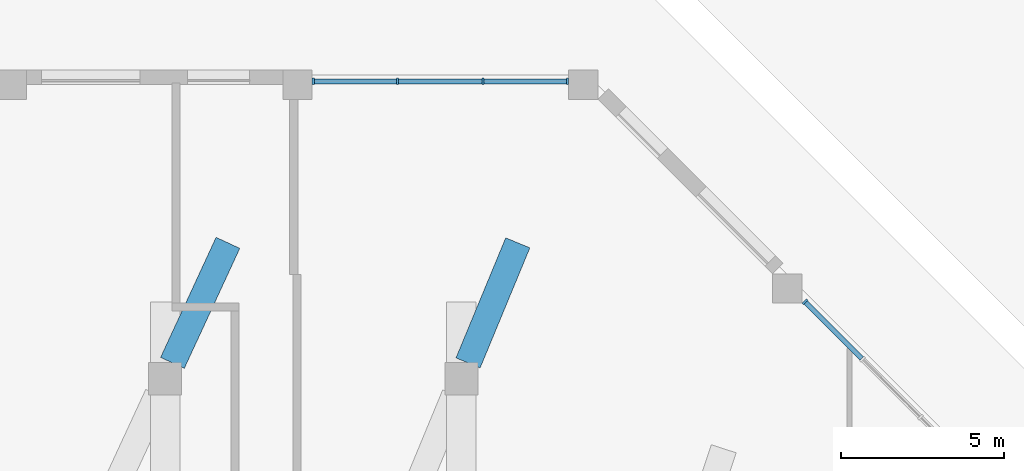
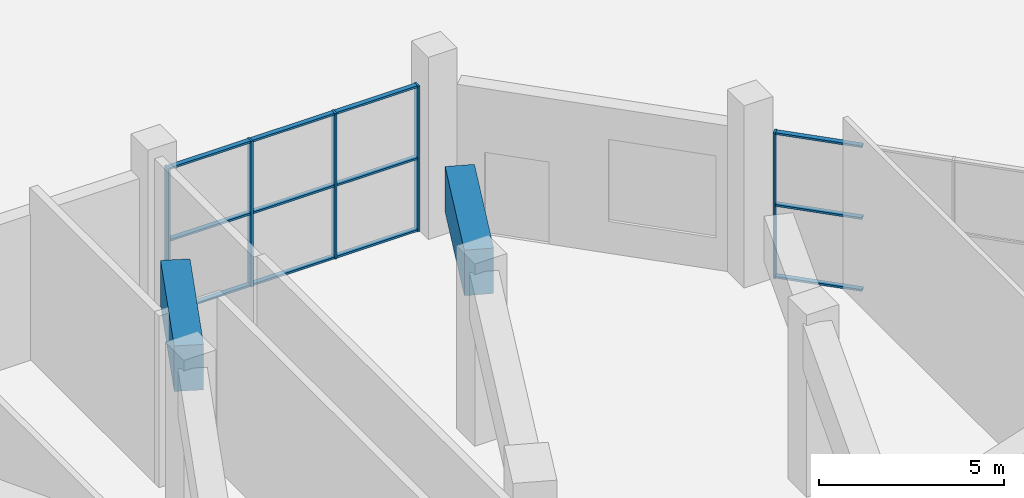
# One storey, part 15 of 36: 17 members, 2 beams, 2 elements without a shape of their own.
"""IFC4 building model written with IfcOpenShell, lengths in metres."""

from ifc_helpers import new_model, si_unit, direction, frame, origin, origin_2d, place, context, subcontext, project, spatial, rectangle, extrude, material, material_profile, profile_set, type_object, element, aggregate, save


model = new_model("IFC4")

# Units and contexts
model_context = context("Model", 3, precision=1e-05, world=origin(), true_north=direction((0.0, 1.0)))
body_context = subcontext(model_context, "Body", "Model", "MODEL_VIEW")
ifc_project = project(units=[si_unit("LENGTHUNIT", "METRE"), si_unit("AREAUNIT", "SQUARE_METRE"), si_unit("VOLUMEUNIT", "CUBIC_METRE"), si_unit("PLANEANGLEUNIT", "RADIAN"), si_unit("MASSUNIT", "GRAM", prefix="KILO")], contexts=[model_context])

# Site, building, storey
site_placement = place(None, origin())
site = spatial("IfcSite", under=ifc_project, at=site_placement, CompositionType="ELEMENT")
building_placement = place(site_placement, origin())
building = spatial("IfcBuilding", under=site, at=building_placement, Name="Msitu Wima Residences", CompositionType="ELEMENT")
storey_placement = place(building_placement, origin())
storey = spatial("IfcBuildingStorey", under=building, at=storey_placement, Name="L00", CompositionType="ELEMENT", Elevation=0.0)

# Curtain wall, member
ifc_material_1 = material(Name="Anodised aluminium, bronze finish, clear laminated low-emissivity double glazing", Category="aluminium")
curtain_wall_type = type_object("IfcCurtainWallType", Name="Curtain wall CW1 shopfront", PredefinedType="NOTDEFINED", material=ifc_material_1)
curtain_wall_1_placement = place(storey_placement, origin())
curtain_wall_1 = element("IfcCurtainWall", 1, at=curtain_wall_1_placement, inside=storey, type_object=curtain_wall_type, Name="Curtain wall CW1 L00 NE2", PredefinedType="NOTDEFINED")
ifc_material_2 = material(Name="Anodised aluminium, bronze finish", Category="aluminium")
ifc_material_profile_1 = material_profile(ifc_material_2, rectangle(XDim=0.199951171875, YDim=0.06494140625, at=origin_2d()), Name="Mullion 65x200")
ifc_profile_set_1 = profile_set([ifc_material_profile_1], Name="Anodised aluminium, bronze finish")
member_type_1 = type_object("IfcMemberType", Name="Mullion CW1 65x200", PredefinedType="MULLION", material=ifc_profile_set_1)
member_1_placement = place(storey_placement, frame((28.635498046875, 40.16162109375, 0.0), z_axis=(0.0, 0.0, 1.0), x_axis=(-0.707106781187, -0.707106781187, 0.0)))
member_1 = element("IfcMember", 2, at=member_1_placement, type_object=member_type_1, Name="CW1 mullion 4", PredefinedType="MULLION", context=body_context, shape_type="SweptSolid", body=[
    extrude(rectangle(XDim=0.199951171875, YDim=0.06494140625, at=origin_2d()), origin(), (0.0, 0.0, 1.0), 4.800048828125),
])

# Curtain wall, members
curtain_wall_2_placement = place(storey_placement, origin())
curtain_wall_2 = element("IfcCurtainWall", 3, at=curtain_wall_2_placement, inside=storey, type_object=curtain_wall_type, Name="Curtain wall CW1 L00 N0", PredefinedType="NOTDEFINED")
member_2_placement = place(storey_placement, frame((21.373291015625, 46.89990234375, 0.0), z_axis=(0.0, 0.0, 1.0), x_axis=(0.0, -1.0, 0.0)))
member_2 = element("IfcMember", 4, at=member_2_placement, type_object=member_type_1, Name="CW1 mullion 1", PredefinedType="MULLION", context=body_context, shape_type="SweptSolid", body=[
    extrude(rectangle(XDim=0.199951171875, YDim=0.06494140625, at=origin_2d()), origin(), (0.0, 0.0, 1.0), 4.800048828125),
])
member_3_placement = place(storey_placement, frame((18.791748046875, 46.89990234375, 0.0), z_axis=(0.0, 0.0, 1.0), x_axis=(0.0, -1.0, 0.0)))
member_3 = element("IfcMember", 5, at=member_3_placement, type_object=member_type_1, Name="CW1 mullion 2", PredefinedType="MULLION", context=body_context, shape_type="SweptSolid", body=[
    extrude(rectangle(XDim=0.199951171875, YDim=0.06494140625, at=origin_2d()), origin(), (0.0, 0.0, 1.0), 4.800048828125),
])
member_4_placement = place(storey_placement, frame((16.177734375, 46.89990234375, 0.0), z_axis=(0.0, 0.0, 1.0), x_axis=(0.0, -1.0, 0.0)))
member_4 = element("IfcMember", 6, at=member_4_placement, type_object=member_type_1, Name="CW1 mullion 3", PredefinedType="MULLION", context=body_context, shape_type="SweptSolid", body=[
    extrude(rectangle(XDim=0.199951171875, YDim=0.06494140625, at=origin_2d()), origin(), (0.0, 0.0, 1.0), 4.800048828125),
])
member_5_placement = place(storey_placement, frame((13.595947265625, 46.89990234375, 0.0), z_axis=(0.0, 0.0, 1.0), x_axis=(0.0, -1.0, 0.0)))
member_5 = element("IfcMember", 7, at=member_5_placement, type_object=member_type_1, Name="CW1 mullion 4", PredefinedType="MULLION", context=body_context, shape_type="SweptSolid", body=[
    extrude(rectangle(XDim=0.199951171875, YDim=0.06494140625, at=origin_2d()), origin(), (0.0, 0.0, 1.0), 4.800048828125),
])

# Beams
ifc_material_3 = material(Name="Concrete C60/75", Category="concrete")
ifc_material_profile_2 = material_profile(ifc_material_3, rectangle(XDim=0.800048828125, YDim=1.5, at=origin_2d()), Name="RC 800x1500")
ifc_profile_set_2 = profile_set([ifc_material_profile_2], Name="Concrete C60/75")
beam_type = type_object("IfcBeamType", Name="Podium cantilever girder tip RC 800x1500 Concrete C60/75", PredefinedType="BEAM", material=ifc_profile_set_2)
beam_1_placement = place(storey_placement, frame((18.330322265625, 38.288818359375, 4.89990234375), z_axis=(0.382704380924, 0.923870855056, 0.0), x_axis=(-0.923870855056, 0.382704380924, 0.0)))
element("IfcBeam", 8, at=beam_1_placement, inside=storey, type_object=beam_type, Name="Podium cantilever girder L01 C-N0 cantilever", PredefinedType="BEAM", context=body_context, shape_type="SweptSolid", body=[
    extrude(rectangle(XDim=0.800048828125, YDim=1.5, at=origin_2d()), origin(), (0.0, 0.0, 1.0), 3.974853515625),
])
beam_2_placement = place(storey_placement, frame((9.2900390625, 38.2890625, 4.89990234375), z_axis=(0.419578622089, 0.907718998306, 0.0), x_axis=(-0.907718998306, 0.419578622089, 0.0)))
element("IfcBeam", 9, at=beam_2_placement, inside=storey, type_object=beam_type, Name="Podium cantilever girder L01 C-N1 cantilever", PredefinedType="BEAM", context=body_context, shape_type="SweptSolid", body=[
    extrude(rectangle(XDim=0.800048828125, YDim=1.5, at=origin_2d()), origin(), (0.0, 0.0, 1.0), 4.045166015625),
])

# Member
ifc_material_profile_3 = material_profile(ifc_material_2, rectangle(XDim=0.14990234375, YDim=0.06494140625, at=origin_2d()), Name="Transom 65x150")
ifc_profile_set_3 = profile_set([ifc_material_profile_3], Name="Anodised aluminium, bronze finish")
member_type_2 = type_object("IfcMemberType", Name="Transom CW1 65x150", PredefinedType="USERDEFINED", material=ifc_profile_set_3)
member_6_placement = place(storey_placement, frame((30.368408203125, 38.428955078125, 0.032470703125), z_axis=(-0.70715726177, 0.707056296999, 0.0), x_axis=(-0.707056296999, -0.70715726177, 0.0)))
member_6 = element("IfcMember", 10, at=member_6_placement, type_object=member_type_2, Name="CW1 transom 3.1", ObjectType="TRANSOM", PredefinedType="USERDEFINED", context=body_context, shape_type="SweptSolid", body=[
    extrude(rectangle(XDim=0.14990234375, YDim=0.06494140625, at=origin_2d()), origin(), (0.0, 0.0, 1.0), 2.41796875),
])

member_7_placement = place(storey_placement, frame((30.368408203125, 38.428955078125, 2.39990234375), z_axis=(-0.70715726177, 0.707056296999, 0.0), x_axis=(-0.707056296999, -0.70715726177, 0.0)))
member_7 = element("IfcMember", 11, at=member_7_placement, type_object=member_type_2, Name="CW1 transom 3.2", ObjectType="TRANSOM", PredefinedType="USERDEFINED", context=body_context, shape_type="SweptSolid", body=[
    extrude(rectangle(XDim=0.14990234375, YDim=0.06494140625, at=origin_2d()), origin(), (0.0, 0.0, 1.0), 2.41796875),
])

member_8_placement = place(storey_placement, frame((30.368408203125, 38.428955078125, 4.767578125), z_axis=(-0.70715726177, 0.707056296999, 0.0), x_axis=(-0.707056296999, -0.70715726177, 0.0)))
member_8 = element("IfcMember", 12, at=member_8_placement, type_object=member_type_2, Name="CW1 transom 3.3", ObjectType="TRANSOM", PredefinedType="USERDEFINED", context=body_context, shape_type="SweptSolid", body=[
    extrude(rectangle(XDim=0.14990234375, YDim=0.06494140625, at=origin_2d()), origin(), (0.0, 0.0, 1.0), 2.41796875),
])

aggregate(curtain_wall_1, [member_1, member_6, member_7, member_8])

member_9_placement = place(storey_placement, frame((21.3408203125, 46.89990234375, 0.032470703125), z_axis=(-1.0, 0.0, 0.0), x_axis=(0.0, -1.0, 0.0)))
member_9 = element("IfcMember", 13, at=member_9_placement, type_object=member_type_2, Name="CW1 transom 1.1", ObjectType="TRANSOM", PredefinedType="USERDEFINED", context=body_context, shape_type="SweptSolid", body=[
    extrude(rectangle(XDim=0.14990234375, YDim=0.06494140625, at=origin_2d()), origin(), (0.0, 0.0, 1.0), 2.5166015625),
])

member_10_placement = place(storey_placement, frame((21.3408203125, 46.89990234375, 2.39990234375), z_axis=(-1.0, 0.0, 0.0), x_axis=(0.0, -1.0, 0.0)))
member_10 = element("IfcMember", 14, at=member_10_placement, type_object=member_type_2, Name="CW1 transom 1.2", ObjectType="TRANSOM", PredefinedType="USERDEFINED", context=body_context, shape_type="SweptSolid", body=[
    extrude(rectangle(XDim=0.14990234375, YDim=0.06494140625, at=origin_2d()), origin(), (0.0, 0.0, 1.0), 2.5166015625),
])

member_11_placement = place(storey_placement, frame((21.3408203125, 46.89990234375, 4.767578125), z_axis=(-1.0, 0.0, 0.0), x_axis=(0.0, -1.0, 0.0)))
member_11 = element("IfcMember", 15, at=member_11_placement, type_object=member_type_2, Name="CW1 transom 1.3", ObjectType="TRANSOM", PredefinedType="USERDEFINED", context=body_context, shape_type="SweptSolid", body=[
    extrude(rectangle(XDim=0.14990234375, YDim=0.06494140625, at=origin_2d()), origin(), (0.0, 0.0, 1.0), 2.5166015625),
])

member_12_placement = place(storey_placement, frame((18.75927734375, 46.89990234375, 0.032470703125), z_axis=(-1.0, 0.0, 0.0), x_axis=(0.0, -1.0, 0.0)))
member_12 = element("IfcMember", 16, at=member_12_placement, type_object=member_type_2, Name="CW1 transom 2.1", ObjectType="TRANSOM", PredefinedType="USERDEFINED", context=body_context, shape_type="SweptSolid", body=[
    extrude(rectangle(XDim=0.14990234375, YDim=0.06494140625, at=origin_2d()), origin(), (0.0, 0.0, 1.0), 2.549072265625),
])

member_13_placement = place(storey_placement, frame((18.75927734375, 46.89990234375, 2.39990234375), z_axis=(-1.0, 0.0, 0.0), x_axis=(0.0, -1.0, 0.0)))
member_13 = element("IfcMember", 17, at=member_13_placement, type_object=member_type_2, Name="CW1 transom 2.2", ObjectType="TRANSOM", PredefinedType="USERDEFINED", context=body_context, shape_type="SweptSolid", body=[
    extrude(rectangle(XDim=0.14990234375, YDim=0.06494140625, at=origin_2d()), origin(), (0.0, 0.0, 1.0), 2.549072265625),
])

member_14_placement = place(storey_placement, frame((18.75927734375, 46.89990234375, 4.767578125), z_axis=(-1.0, 0.0, 0.0), x_axis=(0.0, -1.0, 0.0)))
member_14 = element("IfcMember", 18, at=member_14_placement, type_object=member_type_2, Name="CW1 transom 2.3", ObjectType="TRANSOM", PredefinedType="USERDEFINED", context=body_context, shape_type="SweptSolid", body=[
    extrude(rectangle(XDim=0.14990234375, YDim=0.06494140625, at=origin_2d()), origin(), (0.0, 0.0, 1.0), 2.549072265625),
])

member_15_placement = place(storey_placement, frame((16.14501953125, 46.89990234375, 0.032470703125), z_axis=(-1.0, 0.0, 0.0), x_axis=(0.0, -1.0, 0.0)))
member_15 = element("IfcMember", 19, at=member_15_placement, type_object=member_type_2, Name="CW1 transom 3.1", ObjectType="TRANSOM", PredefinedType="USERDEFINED", context=body_context, shape_type="SweptSolid", body=[
    extrude(rectangle(XDim=0.14990234375, YDim=0.06494140625, at=origin_2d()), origin(), (0.0, 0.0, 1.0), 2.5166015625),
])

member_16_placement = place(storey_placement, frame((16.14501953125, 46.89990234375, 2.39990234375), z_axis=(-1.0, 0.0, 0.0), x_axis=(0.0, -1.0, 0.0)))
member_16 = element("IfcMember", 20, at=member_16_placement, type_object=member_type_2, Name="CW1 transom 3.2", ObjectType="TRANSOM", PredefinedType="USERDEFINED", context=body_context, shape_type="SweptSolid", body=[
    extrude(rectangle(XDim=0.14990234375, YDim=0.06494140625, at=origin_2d()), origin(), (0.0, 0.0, 1.0), 2.5166015625),
])

member_17_placement = place(storey_placement, frame((16.14501953125, 46.89990234375, 4.767578125), z_axis=(-1.0, 0.0, 0.0), x_axis=(0.0, -1.0, 0.0)))
member_17 = element("IfcMember", 21, at=member_17_placement, type_object=member_type_2, Name="CW1 transom 3.3", ObjectType="TRANSOM", PredefinedType="USERDEFINED", context=body_context, shape_type="SweptSolid", body=[
    extrude(rectangle(XDim=0.14990234375, YDim=0.06494140625, at=origin_2d()), origin(), (0.0, 0.0, 1.0), 2.5166015625),
])

aggregate(curtain_wall_2, [member_2, member_3, member_4, member_5, member_9, member_10, member_11, member_12, member_13, member_14, member_15, member_16, member_17])

save(model, "model.ifc")
